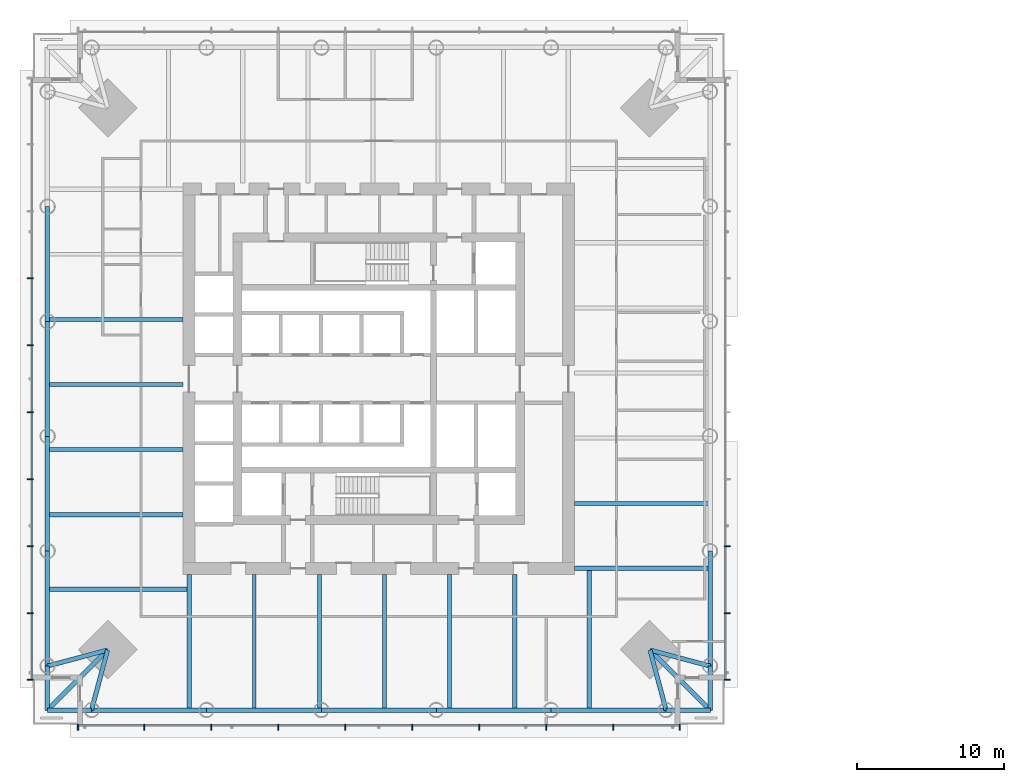
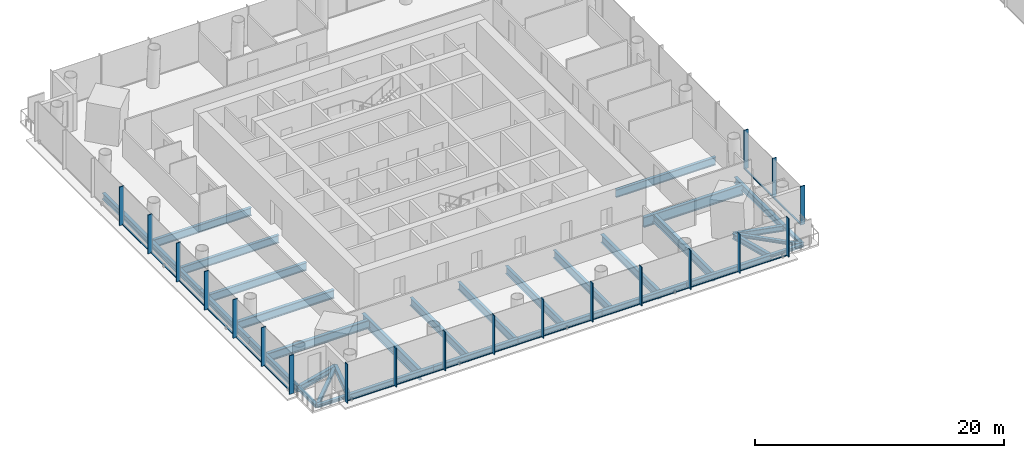
# One storey, part 2 of 26: 37 members, 34 beams, 3 elements without a shape of their own.
"""IFC4 building model written with IfcOpenShell, lengths in metres."""

from ifc_helpers import new_model, si_unit, direction, frame, origin, origin_2d, place, context, subcontext, project, spatial, rectangle, i_section, extrude, material, material_profile, profile_set, type_object, element, aggregate, save


model = new_model("IFC4")

# Units and contexts
model_context = context("Model", 3, precision=1e-05, world=origin(), true_north=direction((0.0, 1.0)))
body_context = subcontext(model_context, "Body", "Model", "MODEL_VIEW")
ifc_project = project(units=[si_unit("LENGTHUNIT", "METRE"), si_unit("AREAUNIT", "SQUARE_METRE"), si_unit("VOLUMEUNIT", "CUBIC_METRE"), si_unit("PLANEANGLEUNIT", "RADIAN"), si_unit("MASSUNIT", "GRAM", prefix="KILO")], contexts=[model_context])

# Site, building, storey
site_placement = place(None, origin())
site = spatial("IfcSite", under=ifc_project, at=site_placement, CompositionType="ELEMENT")
building_placement = place(site_placement, origin())
building = spatial("IfcBuilding", under=site, at=building_placement, Name="Ostroluk Exchange", CompositionType="ELEMENT")
storey_placement = place(building_placement, frame((0.0, 0.0, 66.60009765625)))
storey = spatial("IfcBuildingStorey", under=building, at=storey_placement, Name="L16", CompositionType="ELEMENT", Elevation=66.60009765625)

# Beams
ifc_material_1 = material(Name="Steel S355", Category="steel")
ifc_material_profile_1 = material_profile(ifc_material_1, i_section(OverallWidth=0.300048828125, OverallDepth=0.300048828125, WebThickness=0.010986328125, FlangeThickness=0.01904296875, FilletRadius=0.027099609375, at=origin_2d()), Name="HEB 300")
ifc_profile_set_1 = profile_set([ifc_material_profile_1], Name="Steel S355")
beam_type_1 = type_object("IfcBeamType", Name="Balcony beam HEB 300", PredefinedType="BEAM", material=ifc_profile_set_1)
for number, where, z_axis, x_axis, name in (
    (1, (22.45703125, 26.45703125, -0.330078125), (0.0, -1.0, 0.0), (1.0, 0.0, 0.0), "T1 west balcony beam a"),
    (2, (25.45703125, 23.45703125, -0.330078125), (-1.0, 0.0, 0.0), (0.0, -1.0, 0.0), "T1 west balcony beam b"),
):
    element("IfcBeam", number, at=place(storey_placement, frame(where, z_axis=z_axis, x_axis=x_axis)), inside=storey, type_object=beam_type_1, Name=name, PredefinedType="BEAM", context=body_context, shape_type="SweptSolid", body=[
        extrude(i_section(OverallWidth=0.300048828125, OverallDepth=0.300048828125, WebThickness=0.010986328125, FlangeThickness=0.01904296875, FilletRadius=0.027099609375, at=origin_2d()), origin(), (0.0, 0.0, 1.0), 3.0),
    ])
beam_1_placement = place(storey_placement, frame((26.55712890625, 27.55712890625, -0.330078125), z_axis=(-0.707106781187, -0.707106781187, 0.0), x_axis=(0.707106781187, -0.707106781187, 0.0)))
element("IfcBeam", 3, at=beam_1_placement, inside=storey, type_object=beam_type_1, Name="T1 west balcony beam c", PredefinedType="BEAM", context=body_context, shape_type="SweptSolid", body=[
    extrude(i_section(OverallWidth=0.300048828125, OverallDepth=0.300048828125, WebThickness=0.010986328125, FlangeThickness=0.01904296875, FilletRadius=0.027099609375, at=origin_2d()), origin(), (0.0, 0.0, 1.0), 5.79833984375),
])
for number, where, z_axis, x_axis, name in (
    (4, (64.54296875, 23.45703125, -0.330078125), (1.0, 0.0, 0.0), (0.0, 1.0, 0.0), "T1 south balcony beam a"),
    (5, (67.54296875, 26.45703125, -0.330078125), (0.0, -1.0, 0.0), (1.0, 0.0, 0.0), "T1 south balcony beam b"),
):
    element("IfcBeam", number, at=place(storey_placement, frame(where, z_axis=z_axis, x_axis=x_axis)), inside=storey, type_object=beam_type_1, Name=name, PredefinedType="BEAM", context=body_context, shape_type="SweptSolid", body=[
        extrude(i_section(OverallWidth=0.300048828125, OverallDepth=0.300048828125, WebThickness=0.010986328125, FlangeThickness=0.01904296875, FilletRadius=0.027099609375, at=origin_2d()), origin(), (0.0, 0.0, 1.0), 3.0),
    ])
beam_2_placement = place(storey_placement, frame((63.44287109375, 27.55712890625, -0.330078125), z_axis=(0.707106781187, -0.707106781187, 0.0), x_axis=(0.707106781187, 0.707106781187, 0.0)))
element("IfcBeam", 6, at=beam_2_placement, inside=storey, type_object=beam_type_1, Name="T1 south balcony beam c", PredefinedType="BEAM", context=body_context, shape_type="SweptSolid", body=[
    extrude(i_section(OverallWidth=0.300048828125, OverallDepth=0.300048828125, WebThickness=0.010986328125, FlangeThickness=0.01904296875, FilletRadius=0.027099609375, at=origin_2d()), origin(), (0.0, 0.0, 1.0), 5.79833984375),
])
ifc_material_2 = material(Name="Steel S355", Category="steel")
ifc_material_profile_2 = material_profile(ifc_material_2, i_section(OverallWidth=0.300048828125, OverallDepth=0.550048828125, WebThickness=0.014892578125, FlangeThickness=0.029052734375, FilletRadius=0.027099609375, at=origin_2d()), Name="HEB 550")
ifc_profile_set_2 = profile_set([ifc_material_profile_2], Name="Steel S355")
beam_type_2 = type_object("IfcBeamType", Name="Corner edge beam HEB 550", PredefinedType="SPANDREL", material=ifc_profile_set_2)
for number, where, z_axis, x_axis, name in (
    (7, (26.55712890625, 27.55712890625, -0.455078125), (-0.965838624319, -0.259144268261, 0.0), (0.259144268261, -0.965838624319, 0.0), "T1 west corner edge beam a"),
    (8, (26.55712890625, 27.55712890625, -0.455078125), (-0.259144268261, -0.965838624319, 0.0), (0.965838624319, -0.259144268261, 0.0), "T1 west corner edge beam b"),
    (9, (63.44287109375, 27.55712890625, -0.455078125), (0.259144268261, -0.965838624319, 0.0), (0.965838624319, 0.259144268261, 0.0), "T1 south corner edge beam a"),
    (10, (63.44287109375, 27.55712890625, -0.455078125), (0.965838624319, -0.259144268261, 0.0), (0.259144268261, 0.965838624319, 0.0), "T1 south corner edge beam b"),
):
    element("IfcBeam", number, at=place(storey_placement, frame(where, z_axis=z_axis, x_axis=x_axis)), inside=storey, type_object=beam_type_2, Name=name, PredefinedType="SPANDREL", context=body_context, shape_type="SweptSolid", body=[
        extrude(i_section(OverallWidth=0.300048828125, OverallDepth=0.550048828125, WebThickness=0.014892578125, FlangeThickness=0.029052734375, FilletRadius=0.027099609375, at=origin_2d()), origin(), (0.0, 0.0, 1.0), 4.2451171875),
    ])
ifc_material_3 = material(Name="Steel S355", Category="steel")
ifc_material_profile_3 = material_profile(ifc_material_3, i_section(OverallWidth=0.302978515625, OverallDepth=0.81396484375, WebThickness=0.02099609375, FlangeThickness=0.0400390625, FilletRadius=0.030029296875, at=origin_2d()), Name="HEM 800")
ifc_profile_set_3 = profile_set([ifc_material_profile_3], Name="Steel S355")
beam_type_3 = type_object("IfcBeamType", Name="Floor beam HEM 800", PredefinedType="BEAM", material=ifc_profile_set_3)
beam_3_placement = place(storey_placement, frame((31.699951171875, 36.748291015625, -0.587158203125), z_axis=(-1.0, 0.0, 0.0), x_axis=(0.0, -1.0, 0.0)))
element("IfcBeam", 11, at=beam_3_placement, inside=storey, type_object=beam_type_3, Name="T1 west floor beam 5", PredefinedType="BEAM", context=body_context, shape_type="SweptSolid", body=[
    extrude(i_section(OverallWidth=0.302978515625, OverallDepth=0.81396484375, WebThickness=0.02099609375, FlangeThickness=0.0400390625, FilletRadius=0.030029296875, at=origin_2d()), origin(), (0.0, 0.0, 1.0), 9.242919921875),
])
beam_4_placement = place(storey_placement, frame((32.10009765625, 31.699951171875, -0.587158203125), z_axis=(-1.0, 0.0, 0.0), x_axis=(0.0, -1.0, 0.0)))
element("IfcBeam", 12, at=beam_4_placement, inside=storey, type_object=beam_type_3, Name="T1 west floor beam 6", PredefinedType="BEAM", context=body_context, shape_type="SweptSolid", body=[
    extrude(i_section(OverallWidth=0.302978515625, OverallDepth=0.81396484375, WebThickness=0.02099609375, FlangeThickness=0.0400390625, FilletRadius=0.030029296875, at=origin_2d()), origin(), (0.0, 0.0, 1.0), 9.64306640625),
])
beam_5_placement = place(storey_placement, frame((54.251708984375, 32.699951171875, -0.587158203125), z_axis=(0.0, -1.0, 0.0), x_axis=(1.0, 0.0, 0.0)))
element("IfcBeam", 13, at=beam_5_placement, inside=storey, type_object=beam_type_3, Name="T1 south floor beam 5", PredefinedType="BEAM", context=body_context, shape_type="SweptSolid", body=[
    extrude(i_section(OverallWidth=0.302978515625, OverallDepth=0.81396484375, WebThickness=0.02099609375, FlangeThickness=0.0400390625, FilletRadius=0.030029296875, at=origin_2d()), origin(), (0.0, 0.0, 1.0), 9.242919921875),
])
beam_6_placement = place(storey_placement, frame((59.300048828125, 33.10009765625, -0.587158203125), z_axis=(0.0, -1.0, 0.0), x_axis=(1.0, 0.0, 0.0)))
element("IfcBeam", 14, at=beam_6_placement, inside=storey, type_object=beam_type_3, Name="T1 south floor beam 6", PredefinedType="BEAM", context=body_context, shape_type="SweptSolid", body=[
    extrude(i_section(OverallWidth=0.302978515625, OverallDepth=0.81396484375, WebThickness=0.02099609375, FlangeThickness=0.0400390625, FilletRadius=0.030029296875, at=origin_2d()), origin(), (0.0, 0.0, 1.0), 9.64306640625),
])
ifc_material_4 = material(Name="Steel S355", Category="steel")
ifc_material_profile_4 = material_profile(ifc_material_4, i_section(OverallWidth=0.26806640625, OverallDepth=0.77001953125, WebThickness=0.015625, FlangeThickness=0.025390625, FilletRadius=0.01708984375, at=origin_2d()), Name="IPE 750x196")
ifc_profile_set_4 = profile_set([ifc_material_profile_4], Name="Steel S355")
beam_type_4 = type_object("IfcBeamType", Name="Floor beam IPE 750x196", PredefinedType="BEAM", material=ifc_profile_set_4)
for number, where, z_axis, x_axis, name in (
    (15, (58.300048828125, 37.5302734375, -0.565185546875), (1.0, 0.0, 0.0), (0.0, 1.0, 0.0), "T1 east floor beam 1"),
    (16, (31.699951171875, 50.039306640625, -0.565185546875), (-1.0, 0.0, 0.0), (0.0, -1.0, 0.0), "T1 west floor beam 2"),
    (17, (31.699951171875, 45.60888671875, -0.565185546875), (-1.0, 0.0, 0.0), (0.0, -1.0, 0.0), "T1 west floor beam 3"),
    (18, (31.699951171875, 41.178466796875, -0.565185546875), (-1.0, 0.0, 0.0), (0.0, -1.0, 0.0), "T1 west floor beam 4"),
    (19, (36.5302734375, 32.699951171875, -0.565185546875), (0.0, -1.0, 0.0), (1.0, 0.0, 0.0), "T1 south floor beam 1"),
    (20, (40.960693359375, 32.699951171875, -0.565185546875), (0.0, -1.0, 0.0), (1.0, 0.0, 0.0), "T1 south floor beam 2"),
    (21, (45.39111328125, 32.699951171875, -0.565185546875), (0.0, -1.0, 0.0), (1.0, 0.0, 0.0), "T1 south floor beam 3"),
    (22, (49.821533203125, 32.699951171875, -0.565185546875), (0.0, -1.0, 0.0), (1.0, 0.0, 0.0), "T1 south floor beam 4"),
):
    element("IfcBeam", number, at=place(storey_placement, frame(where, z_axis=z_axis, x_axis=x_axis)), inside=storey, type_object=beam_type_4, Name=name, PredefinedType="BEAM", context=body_context, shape_type="SweptSolid", body=[
        extrude(i_section(OverallWidth=0.26806640625, OverallDepth=0.77001953125, WebThickness=0.015625, FlangeThickness=0.025390625, FilletRadius=0.01708984375, at=origin_2d()), origin(), (0.0, 0.0, 1.0), 9.242919921875),
    ])
ifc_material_5 = material(Name="Steel S355", Category="steel")
ifc_material_profile_5 = material_profile(ifc_material_5, i_section(OverallWidth=0.302001953125, OverallDepth=1.008056640625, WebThickness=0.02099609375, FlangeThickness=0.0400390625, FilletRadius=0.030029296875, at=origin_2d()), Name="HEM 1000")
ifc_profile_set_5 = profile_set([ifc_material_profile_5], Name="Steel S355")
beam_type_5 = type_object("IfcBeamType", Name="Girder HEM 1000", PredefinedType="BEAM", material=ifc_profile_set_5)
for number, where, z_axis, x_axis, name in (
    (23, (32.10009765625, 32.699951171875, -0.68408203125), (0.0, -1.0, 0.0), (1.0, 0.0, 0.0), "T1 west girder"),
    (24, (58.300048828125, 33.10009765625, -0.68408203125), (1.0, 0.0, 0.0), (0.0, 1.0, 0.0), "T1 south girder"),
):
    element("IfcBeam", number, at=place(storey_placement, frame(where, z_axis=z_axis, x_axis=x_axis)), inside=storey, type_object=beam_type_5, Name=name, PredefinedType="BEAM", context=body_context, shape_type="SweptSolid", body=[
        extrude(i_section(OverallWidth=0.302001953125, OverallDepth=1.008056640625, WebThickness=0.02099609375, FlangeThickness=0.0400390625, FilletRadius=0.030029296875, at=origin_2d()), origin(), (0.0, 0.0, 1.0), 9.242919921875),
    ])
ifc_material_6 = material(Name="Steel S355", Category="steel")
ifc_material_profile_6 = material_profile(ifc_material_6, i_section(OverallWidth=0.300048828125, OverallDepth=0.60009765625, WebThickness=0.015380859375, FlangeThickness=0.030029296875, FilletRadius=0.027099609375, at=origin_2d()), Name="HEB 600")
ifc_profile_set_6 = profile_set([ifc_material_profile_6], Name="Steel S355")
beam_type_6 = type_object("IfcBeamType", Name="Moment-connected edge beam HEB 600", PredefinedType="SPANDREL", material=ifc_profile_set_6)
for number, where, z_axis, x_axis, name in (
    (25, (67.54296875, 26.45703125, -0.47998046875), (0.0, 1.0, 0.0), (-1.0, 0.0, 0.0), "T1 east edge beam 1"),
    (26, (22.45703125, 57.725830078125, -0.47998046875), (0.0, -1.0, 0.0), (1.0, 0.0, 0.0), "T1 west edge beam 2"),
):
    element("IfcBeam", number, at=place(storey_placement, frame(where, z_axis=z_axis, x_axis=x_axis)), inside=storey, type_object=beam_type_6, Name=name, PredefinedType="SPANDREL", context=body_context, shape_type="SweptSolid", body=[
        extrude(i_section(OverallWidth=0.300048828125, OverallDepth=0.60009765625, WebThickness=0.015380859375, FlangeThickness=0.030029296875, FilletRadius=0.027099609375, at=origin_2d()), origin(), (0.0, 0.0, 1.0), 7.817138671875),
    ])
beam_7_placement = place(storey_placement, frame((22.45703125, 49.90869140625, -0.47998046875), z_axis=(0.0, -1.0, 0.0), x_axis=(1.0, 0.0, 0.0)))
element("IfcBeam", 27, at=beam_7_placement, inside=storey, type_object=beam_type_6, Name="T1 west edge beam 3", PredefinedType="SPANDREL", context=body_context, shape_type="SweptSolid", body=[
    extrude(i_section(OverallWidth=0.300048828125, OverallDepth=0.60009765625, WebThickness=0.015380859375, FlangeThickness=0.030029296875, FilletRadius=0.027099609375, at=origin_2d()), origin(), (0.0, 0.0, 1.0), 7.8173828125),
])
for number, where, z_axis, x_axis, name in (
    (28, (22.45703125, 42.09130859375, -0.47998046875), (0.0, -1.0, 0.0), (1.0, 0.0, 0.0), "T1 west edge beam 4"),
    (29, (22.45703125, 34.274169921875, -0.47998046875), (0.0, -1.0, 0.0), (1.0, 0.0, 0.0), "T1 west edge beam 5"),
    (30, (25.45703125, 23.45703125, -0.47998046875), (1.0, 0.0, 0.0), (0.0, 1.0, 0.0), "T1 south edge beam 1"),
    (31, (33.274169921875, 23.45703125, -0.47998046875), (1.0, 0.0, 0.0), (0.0, 1.0, 0.0), "T1 south edge beam 2"),
):
    element("IfcBeam", number, at=place(storey_placement, frame(where, z_axis=z_axis, x_axis=x_axis)), inside=storey, type_object=beam_type_6, Name=name, PredefinedType="SPANDREL", context=body_context, shape_type="SweptSolid", body=[
        extrude(i_section(OverallWidth=0.300048828125, OverallDepth=0.60009765625, WebThickness=0.015380859375, FlangeThickness=0.030029296875, FilletRadius=0.027099609375, at=origin_2d()), origin(), (0.0, 0.0, 1.0), 7.817138671875),
    ])
beam_8_placement = place(storey_placement, frame((41.09130859375, 23.45703125, -0.47998046875), z_axis=(1.0, 0.0, 0.0), x_axis=(0.0, 1.0, 0.0)))
element("IfcBeam", 32, at=beam_8_placement, inside=storey, type_object=beam_type_6, Name="T1 south edge beam 3", PredefinedType="SPANDREL", context=body_context, shape_type="SweptSolid", body=[
    extrude(i_section(OverallWidth=0.300048828125, OverallDepth=0.60009765625, WebThickness=0.015380859375, FlangeThickness=0.030029296875, FilletRadius=0.027099609375, at=origin_2d()), origin(), (0.0, 0.0, 1.0), 7.8173828125),
])
for number, where, z_axis, x_axis, name in (
    (33, (48.90869140625, 23.45703125, -0.47998046875), (1.0, 0.0, 0.0), (0.0, 1.0, 0.0), "T1 south edge beam 4"),
    (34, (56.725830078125, 23.45703125, -0.47998046875), (1.0, 0.0, 0.0), (0.0, 1.0, 0.0), "T1 south edge beam 5"),
):
    element("IfcBeam", number, at=place(storey_placement, frame(where, z_axis=z_axis, x_axis=x_axis)), inside=storey, type_object=beam_type_6, Name=name, PredefinedType="SPANDREL", context=body_context, shape_type="SweptSolid", body=[
        extrude(i_section(OverallWidth=0.300048828125, OverallDepth=0.60009765625, WebThickness=0.015380859375, FlangeThickness=0.030029296875, FilletRadius=0.027099609375, at=origin_2d()), origin(), (0.0, 0.0, 1.0), 7.817138671875),
    ])

# Curtain wall, members
ifc_material_7 = material(Name="Laminated clear glass", Category="glass")
curtain_wall_type = type_object("IfcCurtainWallType", Name="Office tower facade", PredefinedType="USERDEFINED", material=ifc_material_7)
curtain_wall_1_placement = place(storey_placement, origin())
curtain_wall_1 = element("IfcCurtainWall", 35, at=curtain_wall_1_placement, inside=storey, type_object=curtain_wall_type, Name="Office tower south facade L16", ObjectType="UNITISED CURTAIN WALL", PredefinedType="USERDEFINED")
ifc_material_8 = material(Name="Aluminium mullion", Category="aluminium")
ifc_material_profile_7 = material_profile(ifc_material_8, rectangle(XDim=0.14990234375, YDim=0.080078125, at=origin_2d()), Name="Sill transom 80 x 150")
ifc_profile_set_7 = profile_set([ifc_material_profile_7], Name="Aluminium mullion")
member_type_1 = type_object("IfcMemberType", Name="Sill transom 80 x 150", PredefinedType="USERDEFINED", material=ifc_profile_set_7)
member_1_placement = place(storey_placement, frame((24.580078125, 22.425048828125, 0.039794921875), z_axis=(1.0, 0.0, 0.0), x_axis=(0.0, 1.0, 0.0)))
member_1 = element("IfcMember", 36, at=member_1_placement, type_object=member_type_1, Name="CW-O1 transom 1.1", ObjectType="TRANSOM", PredefinedType="USERDEFINED", context=body_context, shape_type="SweptSolid", body=[
    extrude(rectangle(XDim=0.14990234375, YDim=0.080078125, at=origin_2d()), origin(), (0.0, 0.0, 1.0), 4.435546875),
])
member_2_placement = place(storey_placement, frame((29.095458984375, 22.425048828125, 0.039794921875), z_axis=(1.0, 0.0, 0.0), x_axis=(0.0, 1.0, 0.0)))
member_2 = element("IfcMember", 37, at=member_2_placement, type_object=member_type_1, Name="CW-O1 transom 2.1", ObjectType="TRANSOM", PredefinedType="USERDEFINED", context=body_context, shape_type="SweptSolid", body=[
    extrude(rectangle(XDim=0.14990234375, YDim=0.080078125, at=origin_2d()), origin(), (0.0, 0.0, 1.0), 4.4755859375),
])
member_3_placement = place(storey_placement, frame((33.651123046875, 22.425048828125, 0.039794921875), z_axis=(1.0, 0.0, 0.0), x_axis=(0.0, 1.0, 0.0)))
member_3 = element("IfcMember", 38, at=member_3_placement, type_object=member_type_1, Name="CW-O1 transom 3.1", ObjectType="TRANSOM", PredefinedType="USERDEFINED", context=body_context, shape_type="SweptSolid", body=[
    extrude(rectangle(XDim=0.14990234375, YDim=0.080078125, at=origin_2d()), origin(), (0.0, 0.0, 1.0), 4.4755859375),
])
member_4_placement = place(storey_placement, frame((38.206787109375, 22.425048828125, 0.039794921875), z_axis=(1.0, 0.0, 0.0), x_axis=(0.0, 1.0, 0.0)))
member_4 = element("IfcMember", 39, at=member_4_placement, type_object=member_type_1, Name="CW-O1 transom 4.1", ObjectType="TRANSOM", PredefinedType="USERDEFINED", context=body_context, shape_type="SweptSolid", body=[
    extrude(rectangle(XDim=0.14990234375, YDim=0.080078125, at=origin_2d()), origin(), (0.0, 0.0, 1.0), 4.475341796875),
])
member_5_placement = place(storey_placement, frame((42.76220703125, 22.425048828125, 0.039794921875), z_axis=(1.0, 0.0, 0.0), x_axis=(0.0, 1.0, 0.0)))
member_5 = element("IfcMember", 40, at=member_5_placement, type_object=member_type_1, Name="CW-O1 transom 5.1", ObjectType="TRANSOM", PredefinedType="USERDEFINED", context=body_context, shape_type="SweptSolid", body=[
    extrude(rectangle(XDim=0.14990234375, YDim=0.080078125, at=origin_2d()), origin(), (0.0, 0.0, 1.0), 4.4755859375),
])
member_6_placement = place(storey_placement, frame((47.31787109375, 22.425048828125, 0.039794921875), z_axis=(1.0, 0.0, 0.0), x_axis=(0.0, 1.0, 0.0)))
member_6 = element("IfcMember", 41, at=member_6_placement, type_object=member_type_1, Name="CW-O1 transom 6.1", ObjectType="TRANSOM", PredefinedType="USERDEFINED", context=body_context, shape_type="SweptSolid", body=[
    extrude(rectangle(XDim=0.14990234375, YDim=0.080078125, at=origin_2d()), origin(), (0.0, 0.0, 1.0), 4.475341796875),
])
member_7_placement = place(storey_placement, frame((51.873291015625, 22.425048828125, 0.039794921875), z_axis=(1.0, 0.0, 0.0), x_axis=(0.0, 1.0, 0.0)))
member_7 = element("IfcMember", 42, at=member_7_placement, type_object=member_type_1, Name="CW-O1 transom 7.1", ObjectType="TRANSOM", PredefinedType="USERDEFINED", context=body_context, shape_type="SweptSolid", body=[
    extrude(rectangle(XDim=0.14990234375, YDim=0.080078125, at=origin_2d()), origin(), (0.0, 0.0, 1.0), 4.4755859375),
])
member_8_placement = place(storey_placement, frame((56.428955078125, 22.425048828125, 0.039794921875), z_axis=(1.0, 0.0, 0.0), x_axis=(0.0, 1.0, 0.0)))
member_8 = element("IfcMember", 43, at=member_8_placement, type_object=member_type_1, Name="CW-O1 transom 8.1", ObjectType="TRANSOM", PredefinedType="USERDEFINED", context=body_context, shape_type="SweptSolid", body=[
    extrude(rectangle(XDim=0.14990234375, YDim=0.080078125, at=origin_2d()), origin(), (0.0, 0.0, 1.0), 4.4755859375),
])
member_9_placement = place(storey_placement, frame((60.984375, 22.425048828125, 0.039794921875), z_axis=(1.0, 0.0, 0.0), x_axis=(0.0, 1.0, 0.0)))
member_9 = element("IfcMember", 44, at=member_9_placement, type_object=member_type_1, Name="CW-O1 transom 9.1", ObjectType="TRANSOM", PredefinedType="USERDEFINED", context=body_context, shape_type="SweptSolid", body=[
    extrude(rectangle(XDim=0.14990234375, YDim=0.080078125, at=origin_2d()), origin(), (0.0, 0.0, 1.0), 4.435546875),
])

curtain_wall_2_placement = place(storey_placement, origin())
curtain_wall_2 = element("IfcCurtainWall", 45, at=curtain_wall_2_placement, inside=storey, type_object=curtain_wall_type, Name="Office tower east facade L16", ObjectType="UNITISED CURTAIN WALL", PredefinedType="USERDEFINED")
member_10_placement = place(storey_placement, frame((68.574951171875, 25.580078125, 0.039794921875), z_axis=(0.0, 1.0, 0.0), x_axis=(-1.0, 0.0, 0.0)))
member_10 = element("IfcMember", 46, at=member_10_placement, type_object=member_type_1, Name="CW-O1 transom 1.1", ObjectType="TRANSOM", PredefinedType="USERDEFINED", context=body_context, shape_type="SweptSolid", body=[
    extrude(rectangle(XDim=0.14990234375, YDim=0.080078125, at=origin_2d()), origin(), (0.0, 0.0, 1.0), 4.435546875),
])
member_11_placement = place(storey_placement, frame((68.574951171875, 30.095458984375, 0.039794921875), z_axis=(0.0, 1.0, 0.0), x_axis=(-1.0, 0.0, 0.0)))
member_11 = element("IfcMember", 47, at=member_11_placement, type_object=member_type_1, Name="CW-O1 transom 2.1", ObjectType="TRANSOM", PredefinedType="USERDEFINED", context=body_context, shape_type="SweptSolid", body=[
    extrude(rectangle(XDim=0.14990234375, YDim=0.080078125, at=origin_2d()), origin(), (0.0, 0.0, 1.0), 4.4755859375),
])

curtain_wall_3_placement = place(storey_placement, origin())
curtain_wall_3 = element("IfcCurtainWall", 48, at=curtain_wall_3_placement, inside=storey, type_object=curtain_wall_type, Name="Office tower west facade L16", ObjectType="UNITISED CURTAIN WALL", PredefinedType="USERDEFINED")
member_12_placement = place(storey_placement, frame((21.425048828125, 52.793212890625, 0.039794921875), z_axis=(0.0, -1.0, 0.0), x_axis=(1.0, 0.0, 0.0)))
member_12 = element("IfcMember", 49, at=member_12_placement, type_object=member_type_1, Name="CW-O1 transom 4.1", ObjectType="TRANSOM", PredefinedType="USERDEFINED", context=body_context, shape_type="SweptSolid", body=[
    extrude(rectangle(XDim=0.14990234375, YDim=0.080078125, at=origin_2d()), origin(), (0.0, 0.0, 1.0), 4.475341796875),
])
member_13_placement = place(storey_placement, frame((21.425048828125, 48.23779296875, 0.039794921875), z_axis=(0.0, -1.0, 0.0), x_axis=(1.0, 0.0, 0.0)))
member_13 = element("IfcMember", 50, at=member_13_placement, type_object=member_type_1, Name="CW-O1 transom 5.1", ObjectType="TRANSOM", PredefinedType="USERDEFINED", context=body_context, shape_type="SweptSolid", body=[
    extrude(rectangle(XDim=0.14990234375, YDim=0.080078125, at=origin_2d()), origin(), (0.0, 0.0, 1.0), 4.4755859375),
])
member_14_placement = place(storey_placement, frame((21.425048828125, 43.68212890625, 0.039794921875), z_axis=(0.0, -1.0, 0.0), x_axis=(1.0, 0.0, 0.0)))
member_14 = element("IfcMember", 51, at=member_14_placement, type_object=member_type_1, Name="CW-O1 transom 6.1", ObjectType="TRANSOM", PredefinedType="USERDEFINED", context=body_context, shape_type="SweptSolid", body=[
    extrude(rectangle(XDim=0.14990234375, YDim=0.080078125, at=origin_2d()), origin(), (0.0, 0.0, 1.0), 4.475341796875),
])
member_15_placement = place(storey_placement, frame((21.425048828125, 39.126708984375, 0.039794921875), z_axis=(0.0, -1.0, 0.0), x_axis=(1.0, 0.0, 0.0)))
member_15 = element("IfcMember", 52, at=member_15_placement, type_object=member_type_1, Name="CW-O1 transom 7.1", ObjectType="TRANSOM", PredefinedType="USERDEFINED", context=body_context, shape_type="SweptSolid", body=[
    extrude(rectangle(XDim=0.14990234375, YDim=0.080078125, at=origin_2d()), origin(), (0.0, 0.0, 1.0), 4.4755859375),
])
member_16_placement = place(storey_placement, frame((21.425048828125, 34.571044921875, 0.039794921875), z_axis=(0.0, -1.0, 0.0), x_axis=(1.0, 0.0, 0.0)))
member_16 = element("IfcMember", 53, at=member_16_placement, type_object=member_type_1, Name="CW-O1 transom 8.1", ObjectType="TRANSOM", PredefinedType="USERDEFINED", context=body_context, shape_type="SweptSolid", body=[
    extrude(rectangle(XDim=0.14990234375, YDim=0.080078125, at=origin_2d()), origin(), (0.0, 0.0, 1.0), 4.4755859375),
])
member_17_placement = place(storey_placement, frame((21.425048828125, 30.015625, 0.039794921875), z_axis=(0.0, -1.0, 0.0), x_axis=(1.0, 0.0, 0.0)))
member_17 = element("IfcMember", 54, at=member_17_placement, type_object=member_type_1, Name="CW-O1 transom 9.1", ObjectType="TRANSOM", PredefinedType="USERDEFINED", context=body_context, shape_type="SweptSolid", body=[
    extrude(rectangle(XDim=0.14990234375, YDim=0.080078125, at=origin_2d()), origin(), (0.0, 0.0, 1.0), 4.435546875),
])

# Member
ifc_material_9 = material(Name="Aluminium mullion with limestone facing", Category="masonry")
ifc_material_profile_8 = material_profile(ifc_material_9, rectangle(XDim=0.39990234375, YDim=0.080078125, at=origin_2d()), Name="Tracery mullion 80 x 400")
ifc_profile_set_8 = profile_set([ifc_material_profile_8], Name="Aluminium mullion with limestone facing")
member_type_2 = type_object("IfcMemberType", Name="Tracery mullion 80 x 400", PredefinedType="MULLION", material=ifc_profile_set_8)
member_18_placement = place(storey_placement, frame((24.5400390625, 22.300048828125, 0.0), z_axis=(0.0, 0.0, 1.0), x_axis=(0.0, 1.0, 0.0)))
member_18 = element("IfcMember", 55, at=member_18_placement, type_object=member_type_2, Name="CW-O1 mullion 1", PredefinedType="MULLION", context=body_context, shape_type="SweptSolid", body=[
    extrude(rectangle(XDim=0.39990234375, YDim=0.080078125, at=origin_2d()), origin(), (0.0, 0.0, 1.0), 3.7998046875),
])

member_19_placement = place(storey_placement, frame((29.0556640625, 22.300048828125, 0.0), z_axis=(0.0, 0.0, 1.0), x_axis=(0.0, 1.0, 0.0)))
member_19 = element("IfcMember", 56, at=member_19_placement, type_object=member_type_2, Name="CW-O1 mullion 2", PredefinedType="MULLION", context=body_context, shape_type="SweptSolid", body=[
    extrude(rectangle(XDim=0.39990234375, YDim=0.080078125, at=origin_2d()), origin(), (0.0, 0.0, 1.0), 3.7998046875),
])

member_20_placement = place(storey_placement, frame((33.611083984375, 22.300048828125, 0.0), z_axis=(0.0, 0.0, 1.0), x_axis=(0.0, 1.0, 0.0)))
member_20 = element("IfcMember", 57, at=member_20_placement, type_object=member_type_2, Name="CW-O1 mullion 3", PredefinedType="MULLION", context=body_context, shape_type="SweptSolid", body=[
    extrude(rectangle(XDim=0.39990234375, YDim=0.080078125, at=origin_2d()), origin(), (0.0, 0.0, 1.0), 3.7998046875),
])

member_21_placement = place(storey_placement, frame((38.166748046875, 22.300048828125, 0.0), z_axis=(0.0, 0.0, 1.0), x_axis=(0.0, 1.0, 0.0)))
member_21 = element("IfcMember", 58, at=member_21_placement, type_object=member_type_2, Name="CW-O1 mullion 4", PredefinedType="MULLION", context=body_context, shape_type="SweptSolid", body=[
    extrude(rectangle(XDim=0.39990234375, YDim=0.080078125, at=origin_2d()), origin(), (0.0, 0.0, 1.0), 3.7998046875),
])

member_22_placement = place(storey_placement, frame((42.72216796875, 22.300048828125, 0.0), z_axis=(0.0, 0.0, 1.0), x_axis=(0.0, 1.0, 0.0)))
member_22 = element("IfcMember", 59, at=member_22_placement, type_object=member_type_2, Name="CW-O1 mullion 5", PredefinedType="MULLION", context=body_context, shape_type="SweptSolid", body=[
    extrude(rectangle(XDim=0.39990234375, YDim=0.080078125, at=origin_2d()), origin(), (0.0, 0.0, 1.0), 3.7998046875),
])

member_23_placement = place(storey_placement, frame((47.27783203125, 22.300048828125, 0.0), z_axis=(0.0, 0.0, 1.0), x_axis=(0.0, 1.0, 0.0)))
member_23 = element("IfcMember", 60, at=member_23_placement, type_object=member_type_2, Name="CW-O1 mullion 6", PredefinedType="MULLION", context=body_context, shape_type="SweptSolid", body=[
    extrude(rectangle(XDim=0.39990234375, YDim=0.080078125, at=origin_2d()), origin(), (0.0, 0.0, 1.0), 3.7998046875),
])

member_24_placement = place(storey_placement, frame((51.833251953125, 22.300048828125, 0.0), z_axis=(0.0, 0.0, 1.0), x_axis=(0.0, 1.0, 0.0)))
member_24 = element("IfcMember", 61, at=member_24_placement, type_object=member_type_2, Name="CW-O1 mullion 7", PredefinedType="MULLION", context=body_context, shape_type="SweptSolid", body=[
    extrude(rectangle(XDim=0.39990234375, YDim=0.080078125, at=origin_2d()), origin(), (0.0, 0.0, 1.0), 3.7998046875),
])

member_25_placement = place(storey_placement, frame((56.388916015625, 22.300048828125, 0.0), z_axis=(0.0, 0.0, 1.0), x_axis=(0.0, 1.0, 0.0)))
member_25 = element("IfcMember", 62, at=member_25_placement, type_object=member_type_2, Name="CW-O1 mullion 8", PredefinedType="MULLION", context=body_context, shape_type="SweptSolid", body=[
    extrude(rectangle(XDim=0.39990234375, YDim=0.080078125, at=origin_2d()), origin(), (0.0, 0.0, 1.0), 3.7998046875),
])

member_26_placement = place(storey_placement, frame((60.9443359375, 22.300048828125, 0.0), z_axis=(0.0, 0.0, 1.0), x_axis=(0.0, 1.0, 0.0)))
member_26 = element("IfcMember", 63, at=member_26_placement, type_object=member_type_2, Name="CW-O1 mullion 9", PredefinedType="MULLION", context=body_context, shape_type="SweptSolid", body=[
    extrude(rectangle(XDim=0.39990234375, YDim=0.080078125, at=origin_2d()), origin(), (0.0, 0.0, 1.0), 3.7998046875),
])

member_27_placement = place(storey_placement, frame((65.4599609375, 22.300048828125, 0.0), z_axis=(0.0, 0.0, 1.0), x_axis=(0.0, 1.0, 0.0)))
member_27 = element("IfcMember", 64, at=member_27_placement, type_object=member_type_2, Name="CW-O1 mullion 10", PredefinedType="MULLION", context=body_context, shape_type="SweptSolid", body=[
    extrude(rectangle(XDim=0.39990234375, YDim=0.080078125, at=origin_2d()), origin(), (0.0, 0.0, 1.0), 3.7998046875),
])

aggregate(curtain_wall_1, [member_18, member_19, member_20, member_21, member_22, member_23, member_24, member_25, member_26, member_27, member_1, member_2, member_3, member_4, member_5, member_6, member_7, member_8, member_9])

member_28_placement = place(storey_placement, frame((68.699951171875, 25.5400390625, 0.0), z_axis=(0.0, 0.0, 1.0), x_axis=(-1.0, 0.0, 0.0)))
member_28 = element("IfcMember", 65, at=member_28_placement, type_object=member_type_2, Name="CW-O1 mullion 1", PredefinedType="MULLION", context=body_context, shape_type="SweptSolid", body=[
    extrude(rectangle(XDim=0.39990234375, YDim=0.080078125, at=origin_2d()), origin(), (0.0, 0.0, 1.0), 3.7998046875),
])

member_29_placement = place(storey_placement, frame((68.699951171875, 30.0556640625, 0.0), z_axis=(0.0, 0.0, 1.0), x_axis=(-1.0, 0.0, 0.0)))
member_29 = element("IfcMember", 66, at=member_29_placement, type_object=member_type_2, Name="CW-O1 mullion 2", PredefinedType="MULLION", context=body_context, shape_type="SweptSolid", body=[
    extrude(rectangle(XDim=0.39990234375, YDim=0.080078125, at=origin_2d()), origin(), (0.0, 0.0, 1.0), 3.7998046875),
])

member_30_placement = place(storey_placement, frame((68.699951171875, 34.611083984375, 0.0), z_axis=(0.0, 0.0, 1.0), x_axis=(-1.0, 0.0, 0.0)))
member_30 = element("IfcMember", 67, at=member_30_placement, type_object=member_type_2, Name="CW-O1 mullion 3", PredefinedType="MULLION", context=body_context, shape_type="SweptSolid", body=[
    extrude(rectangle(XDim=0.39990234375, YDim=0.080078125, at=origin_2d()), origin(), (0.0, 0.0, 1.0), 3.7998046875),
])

aggregate(curtain_wall_2, [member_28, member_29, member_30, member_10, member_11])

member_31_placement = place(storey_placement, frame((21.300048828125, 52.833251953125, 0.0), z_axis=(0.0, 0.0, 1.0), x_axis=(1.0, 0.0, 0.0)))
member_31 = element("IfcMember", 68, at=member_31_placement, type_object=member_type_2, Name="CW-O1 mullion 4", PredefinedType="MULLION", context=body_context, shape_type="SweptSolid", body=[
    extrude(rectangle(XDim=0.39990234375, YDim=0.080078125, at=origin_2d()), origin(), (0.0, 0.0, 1.0), 3.7998046875),
])

member_32_placement = place(storey_placement, frame((21.300048828125, 48.27783203125, 0.0), z_axis=(0.0, 0.0, 1.0), x_axis=(1.0, 0.0, 0.0)))
member_32 = element("IfcMember", 69, at=member_32_placement, type_object=member_type_2, Name="CW-O1 mullion 5", PredefinedType="MULLION", context=body_context, shape_type="SweptSolid", body=[
    extrude(rectangle(XDim=0.39990234375, YDim=0.080078125, at=origin_2d()), origin(), (0.0, 0.0, 1.0), 3.7998046875),
])

member_33_placement = place(storey_placement, frame((21.300048828125, 43.72216796875, 0.0), z_axis=(0.0, 0.0, 1.0), x_axis=(1.0, 0.0, 0.0)))
member_33 = element("IfcMember", 70, at=member_33_placement, type_object=member_type_2, Name="CW-O1 mullion 6", PredefinedType="MULLION", context=body_context, shape_type="SweptSolid", body=[
    extrude(rectangle(XDim=0.39990234375, YDim=0.080078125, at=origin_2d()), origin(), (0.0, 0.0, 1.0), 3.7998046875),
])

member_34_placement = place(storey_placement, frame((21.300048828125, 39.166748046875, 0.0), z_axis=(0.0, 0.0, 1.0), x_axis=(1.0, 0.0, 0.0)))
member_34 = element("IfcMember", 71, at=member_34_placement, type_object=member_type_2, Name="CW-O1 mullion 7", PredefinedType="MULLION", context=body_context, shape_type="SweptSolid", body=[
    extrude(rectangle(XDim=0.39990234375, YDim=0.080078125, at=origin_2d()), origin(), (0.0, 0.0, 1.0), 3.7998046875),
])

member_35_placement = place(storey_placement, frame((21.300048828125, 34.611083984375, 0.0), z_axis=(0.0, 0.0, 1.0), x_axis=(1.0, 0.0, 0.0)))
member_35 = element("IfcMember", 72, at=member_35_placement, type_object=member_type_2, Name="CW-O1 mullion 8", PredefinedType="MULLION", context=body_context, shape_type="SweptSolid", body=[
    extrude(rectangle(XDim=0.39990234375, YDim=0.080078125, at=origin_2d()), origin(), (0.0, 0.0, 1.0), 3.7998046875),
])

member_36_placement = place(storey_placement, frame((21.300048828125, 30.0556640625, 0.0), z_axis=(0.0, 0.0, 1.0), x_axis=(1.0, 0.0, 0.0)))
member_36 = element("IfcMember", 73, at=member_36_placement, type_object=member_type_2, Name="CW-O1 mullion 9", PredefinedType="MULLION", context=body_context, shape_type="SweptSolid", body=[
    extrude(rectangle(XDim=0.39990234375, YDim=0.080078125, at=origin_2d()), origin(), (0.0, 0.0, 1.0), 3.7998046875),
])

member_37_placement = place(storey_placement, frame((21.300048828125, 25.5400390625, 0.0), z_axis=(0.0, 0.0, 1.0), x_axis=(1.0, 0.0, 0.0)))
member_37 = element("IfcMember", 74, at=member_37_placement, type_object=member_type_2, Name="CW-O1 mullion 10", PredefinedType="MULLION", context=body_context, shape_type="SweptSolid", body=[
    extrude(rectangle(XDim=0.39990234375, YDim=0.080078125, at=origin_2d()), origin(), (0.0, 0.0, 1.0), 3.7998046875),
])

aggregate(curtain_wall_3, [member_31, member_32, member_33, member_34, member_35, member_36, member_37, member_12, member_13, member_14, member_15, member_16, member_17])

save(model, "model.ifc")
